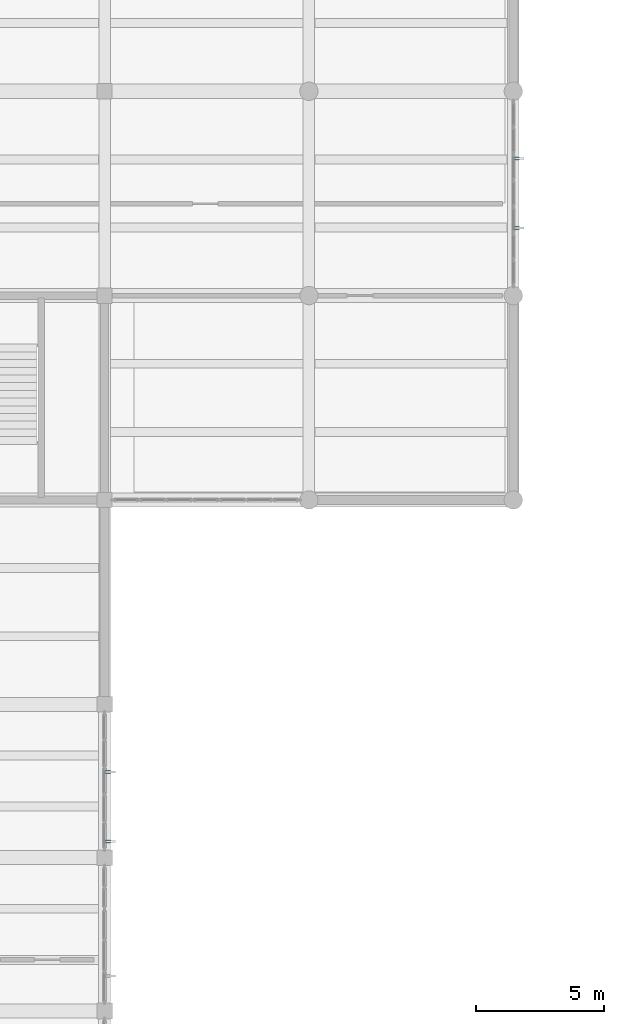
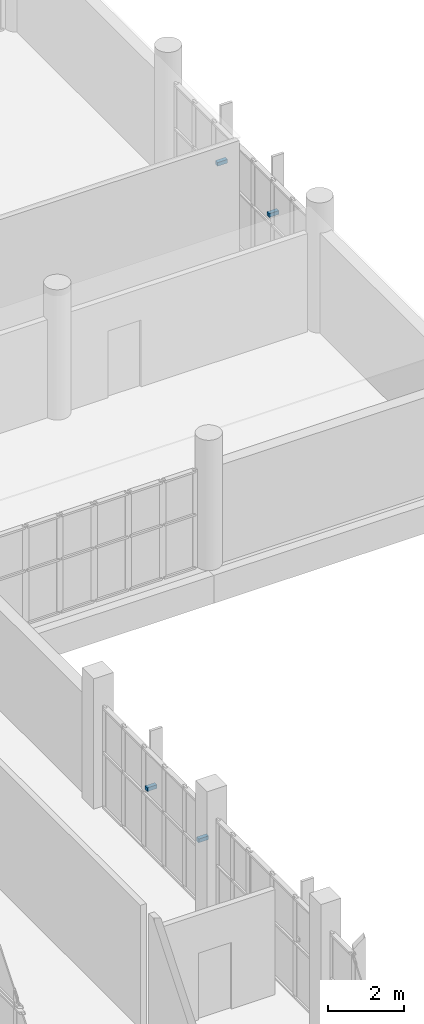
# One storey, part 73 of 85: 4 discrete accessories.
"""IFC4 building model written with IfcOpenShell, lengths in metres."""

from ifc_helpers import new_model, si_unit, direction, frame, origin, origin_2d, place, context, subcontext, project, spatial, rectangle, extrude, material, type_object, element, save


model = new_model("IFC4")

# Units and contexts
model_context = context("Model", 3, precision=1e-05, world=origin(), true_north=direction((0.0, 1.0)))
body_context = subcontext(model_context, "Body", "Model", "MODEL_VIEW")
ifc_project = project(units=[si_unit("LENGTHUNIT", "METRE"), si_unit("AREAUNIT", "SQUARE_METRE"), si_unit("VOLUMEUNIT", "CUBIC_METRE"), si_unit("PLANEANGLEUNIT", "RADIAN"), si_unit("MASSUNIT", "GRAM", prefix="KILO")], contexts=[model_context])

# Site, building, storey
site_placement = place(None, origin())
site = spatial("IfcSite", under=ifc_project, at=site_placement, CompositionType="ELEMENT")
building_placement = place(site_placement, origin())
building = spatial("IfcBuilding", under=site, at=building_placement, Name="Solvane Community Centre", CompositionType="ELEMENT")
storey_placement = place(building_placement, frame((0.0, 0.0, 5.39990234375)))
storey = spatial("IfcBuildingStorey", under=building, at=storey_placement, Name="L01", CompositionType="ELEMENT", Elevation=5.39990234375)

# Discrete accessories
ifc_material = material(Name="Steel ASTM A572 Grade 50", Category="steel")
discrete_accessory_type = type_object("IfcDiscreteAccessoryType", Name="Fin Mounting Bracket 120x120", PredefinedType="BRACKET", material=ifc_material)
for number, where, z_axis, x_axis, name in (
    (1, (84.10009765625, 99.360107421875, 1.929931640625), (0.0, 0.0, 1.0), (0.0, -1.0, 0.0), "Fin Bracket 47"),
    (2, (84.10009765625, 96.639892578125, 1.929931640625), (0.0, 0.0, 1.0), (0.0, -1.0, 0.0), "Fin Bracket 48"),
    (3, (68.10009765625, 75.360107421875, 1.929931640625), (0.0, 0.0, 1.0), (0.0, -1.0, 0.0), "Fin Bracket 49"),
    (4, (68.10009765625, 72.639892578125, 1.929931640625), (0.0, 0.0, 1.0), (0.0, -1.0, 0.0), "Fin Bracket 50"),
):
    element("IfcDiscreteAccessory", number, at=place(storey_placement, frame(where, z_axis=z_axis, x_axis=x_axis)), inside=storey, type_object=discrete_accessory_type, Name=name, PredefinedType="BRACKET", context=body_context, shape_type="SweptSolid", body=[
        extrude(rectangle(XDim=0.1201171875, YDim=0.300048828125, at=origin_2d()), origin(), (0.0, 0.0, 1.0), 0.1201171875),
    ])

save(model, "model.ifc")
